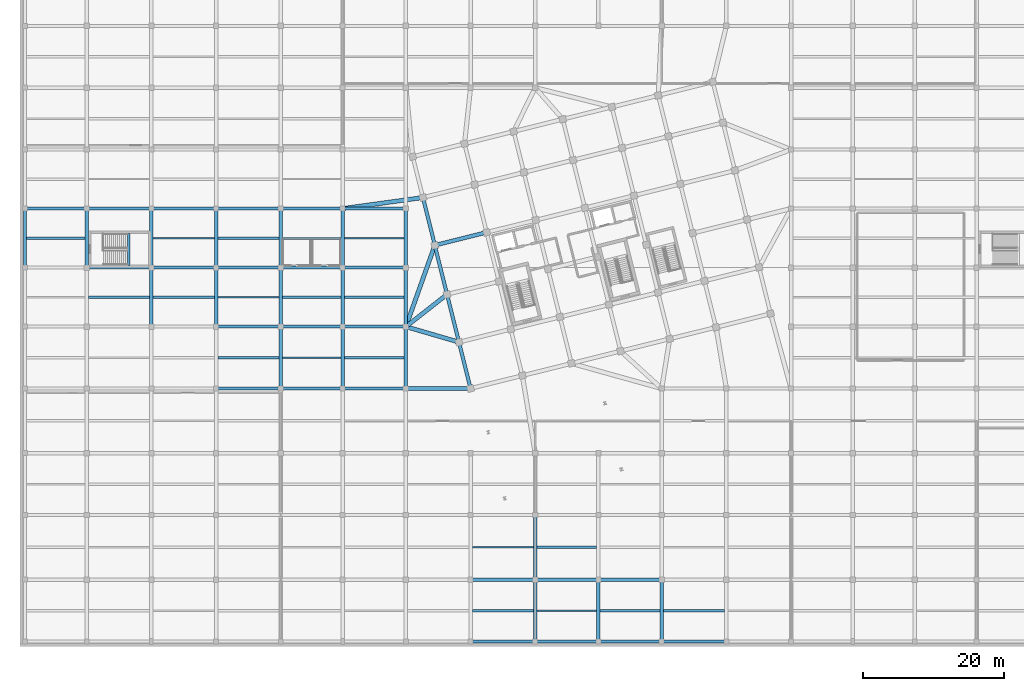
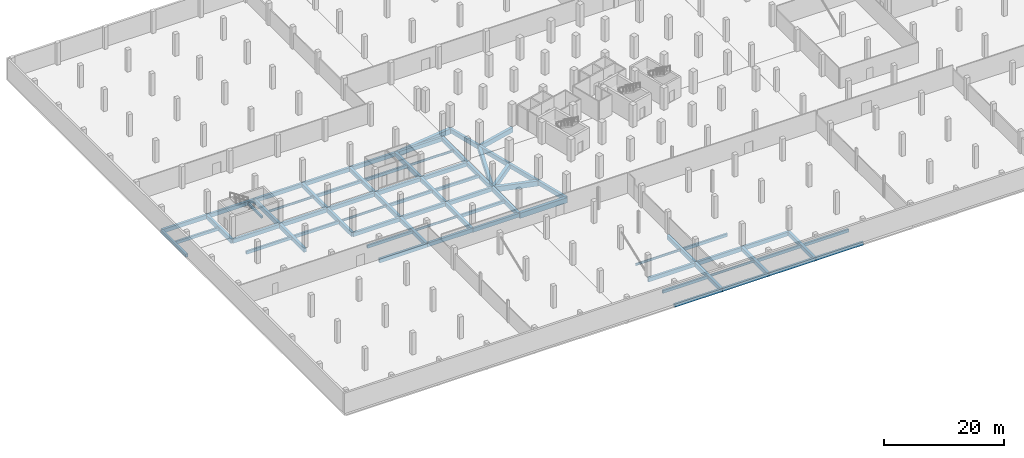
# One storey, part 9 of 31: 73 beams.
"""IFC4 building model written with IfcOpenShell, lengths in metres."""

from ifc_helpers import new_model, si_unit, direction, frame, origin, origin_2d, place, context, subcontext, project, spatial, rectangle, i_section, extrude, material, material_profile, profile_set, type_object, element, save


model = new_model("IFC4")

# Units and contexts
model_context = context("Model", 3, precision=1e-05, world=origin(), true_north=direction((0.0, 1.0)))
body_context = subcontext(model_context, "Body", "Model", "MODEL_VIEW")
ifc_project = project(units=[si_unit("LENGTHUNIT", "METRE"), si_unit("AREAUNIT", "SQUARE_METRE"), si_unit("VOLUMEUNIT", "CUBIC_METRE"), si_unit("PLANEANGLEUNIT", "RADIAN"), si_unit("MASSUNIT", "GRAM", prefix="KILO")], contexts=[model_context])

# Site, building, storey
site_placement = place(None, origin())
site = spatial("IfcSite", under=ifc_project, at=site_placement, CompositionType="ELEMENT")
building_placement = place(site_placement, origin())
building = spatial("IfcBuilding", under=site, at=building_placement, Name="Meriwether Solvik Hall", CompositionType="ELEMENT")
storey_placement = place(building_placement, frame((0.0, 0.0, -4.5)))
storey = spatial("IfcBuildingStorey", under=building, at=storey_placement, Name="B01", CompositionType="ELEMENT", Elevation=-4.5)

# Beams
ifc_material_1 = material(Name="Concrete C40/50", Category="concrete")
ifc_material_profile_1 = material_profile(ifc_material_1, rectangle(XDim=0.35009765625, YDim=0.419921875, at=origin_2d()), Name="RCB-350X420")
ifc_profile_set_1 = profile_set([ifc_material_profile_1], Name="Concrete C40/50")
beam_type_1 = type_object("IfcBeamType", Name="BM-LND-RC-350X420", PredefinedType="BEAM", material=ifc_profile_set_1)
beam_1_placement = place(storey_placement, frame((19.949951171875, 58.72998046875, 1.840087890625), z_axis=(0.0, 1.0, 0.0), x_axis=(-1.0, 0.0, 0.0)))
element("IfcBeam", 1, at=beam_1_placement, inside=storey, type_object=beam_type_1, Name="Stair ST-04 Half-Landing Header Beam (B01)", PredefinedType="BEAM", context=body_context, shape_type="SweptSolid", body=[
    extrude(rectangle(XDim=0.35009765625, YDim=0.419921875, at=origin_2d()), origin(), (0.0, 0.0, 1.0), 4.5400390625),
])
ifc_material_2 = material(Name="Concrete C40/50", Category="concrete")
ifc_material_profile_2 = material_profile(ifc_material_2, rectangle(XDim=0.35009765625, YDim=0.60009765625, at=origin_2d()), Name="RCB-350X600")
ifc_profile_set_2 = profile_set([ifc_material_profile_2], Name="Concrete C40/50")
beam_type_2 = type_object("IfcBeamType", Name="BM-RC-350X600", PredefinedType="JOIST", material=ifc_profile_set_2)
beam_2_placement = place(storey_placement, frame((5.39501953125, 62.60009765625, -0.6298828125), z_axis=(1.0, 0.0, 0.0), x_axis=(0.0, 1.0, 0.0)))
element("IfcBeam", 2, at=beam_2_placement, inside=storey, type_object=beam_type_2, Name="Secondary Floor Joist 1/G (B01)", PredefinedType="JOIST", context=body_context, shape_type="SweptSolid", body=[
    extrude(rectangle(XDim=0.35009765625, YDim=0.60009765625, at=origin_2d()), origin(), (0.0, 0.0, 1.0), 8.35986328125),
])
for number, where, z_axis, x_axis, name in (
    (3, (14.2451171875, 54.199951171875, -0.6298828125), (1.0, 0.0, 0.0), (0.0, 1.0, 0.0), "Secondary Floor Joist 2/F (B01)"),
    (4, (23.445068359375, 54.199951171875, -0.6298828125), (1.0, 0.0, 0.0), (0.0, 1.0, 0.0), "Secondary Floor Joist 3/F (B01)"),
    (5, (32.64501953125, 45.60009765625, -0.6298828125), (1.0, 0.0, 0.0), (0.0, 1.0, 0.0), "Secondary Floor Joist 4/E (B01)"),
    (6, (32.64501953125, 62.60009765625, -0.6298828125), (1.0, 0.0, 0.0), (0.0, 1.0, 0.0), "Secondary Floor Joist 4/G (B01)"),
):
    element("IfcBeam", number, at=place(storey_placement, frame(where, z_axis=z_axis, x_axis=x_axis)), inside=storey, type_object=beam_type_2, Name=name, PredefinedType="JOIST", context=body_context, shape_type="SweptSolid", body=[
        extrude(rectangle(XDim=0.35009765625, YDim=0.60009765625, at=origin_2d()), origin(), (0.0, 0.0, 1.0), 8.7099609375),
    ])
for number, where, z_axis, x_axis, name in (
    (7, (41.844970703125, 54.199951171875, -0.6298828125), (1.0, 0.0, 0.0), (0.0, 1.0, 0.0), "Secondary Floor Joist 5/F (B01)"),
    (8, (41.844970703125, 62.60009765625, -0.6298828125), (1.0, 0.0, 0.0), (0.0, 1.0, 0.0), "Secondary Floor Joist 5/G (B01)"),
):
    element("IfcBeam", number, at=place(storey_placement, frame(where, z_axis=z_axis, x_axis=x_axis)), inside=storey, type_object=beam_type_2, Name=name, PredefinedType="JOIST", context=body_context, shape_type="SweptSolid", body=[
        extrude(rectangle(XDim=0.35009765625, YDim=0.60009765625, at=origin_2d()), origin(), (0.0, 0.0, 1.0), 8.31005859375),
    ])
for number, where, z_axis, x_axis, name in (
    (9, (50.64501953125, 45.60009765625, -0.699951171875), (1.0, 0.0, 0.0), (0.0, 1.0, 0.0), "Secondary Floor Joist 6/E (B01)"),
    (10, (50.64501953125, 54.199951171875, -0.699951171875), (1.0, 0.0, 0.0), (0.0, 1.0, 0.0), "Secondary Floor Joist 6/F (B01)"),
):
    element("IfcBeam", number, at=place(storey_placement, frame(where, z_axis=z_axis, x_axis=x_axis)), inside=storey, type_object=beam_type_2, Name=name, PredefinedType="JOIST", context=body_context, shape_type="SweptSolid", body=[
        extrude(rectangle(XDim=0.35009765625, YDim=0.60009765625, at=origin_2d()), origin(), (0.0, 0.0, 1.0), 8.510009765625),
    ])
beam_3_placement = place(storey_placement, frame((68.844970703125, 9.60009765625, -0.699951171875), z_axis=(1.0, 0.0, 0.0), x_axis=(0.0, 1.0, 0.0)))
element("IfcBeam", 11, at=beam_3_placement, inside=storey, type_object=beam_type_2, Name="Secondary Floor Joist 8/A (B01)", PredefinedType="JOIST", context=body_context, shape_type="SweptSolid", body=[
    extrude(rectangle(XDim=0.35009765625, YDim=0.60009765625, at=origin_2d()), origin(), (0.0, 0.0, 1.0), 8.7099609375),
])
for number, where, z_axis, x_axis, name in (
    (12, (78.044921875, 18.60009765625, -0.699951171875), (1.0, 0.0, 0.0), (0.0, 1.0, 0.0), "Secondary Floor Joist 9/B (B01)"),
    (13, (87.044921875, 9.60009765625, -0.699951171875), (1.0, 0.0, 0.0), (0.0, 1.0, 0.0), "Secondary Floor Joist 10/A (B01)"),
):
    element("IfcBeam", number, at=place(storey_placement, frame(where, z_axis=z_axis, x_axis=x_axis)), inside=storey, type_object=beam_type_2, Name=name, PredefinedType="JOIST", context=body_context, shape_type="SweptSolid", body=[
        extrude(rectangle(XDim=0.35009765625, YDim=0.60009765625, at=origin_2d()), origin(), (0.0, 0.0, 1.0), 8.510009765625),
    ])
beam_4_placement = place(storey_placement, frame((96.044921875, 9.60009765625, -0.699951171875), z_axis=(1.0, 0.0, 0.0), x_axis=(0.0, 1.0, 0.0)))
element("IfcBeam", 14, at=beam_4_placement, inside=storey, type_object=beam_type_2, Name="Secondary Floor Joist 11/A (B01)", PredefinedType="JOIST", context=body_context, shape_type="SweptSolid", body=[
    extrude(rectangle(XDim=0.35009765625, YDim=0.60009765625, at=origin_2d()), origin(), (0.0, 0.0, 1.0), 8.7099609375),
])
ifc_material_3 = material(Name="Concrete C40/50", Category="concrete")
ifc_material_profile_3 = material_profile(ifc_material_3, rectangle(XDim=0.39990234375, YDim=0.64990234375, at=origin_2d()), Name="RCB-400X650")
ifc_profile_set_3 = profile_set([ifc_material_profile_3], Name="Concrete C40/50")
beam_type_3 = type_object("IfcBeamType", Name="BM-RC-400X650", PredefinedType="SPANDREL", material=ifc_profile_set_3)
beam_5_placement = place(storey_placement, frame((68.60009765625, 5.199951171875, -0.72509765625), z_axis=(1.0, 0.0, 0.0), x_axis=(0.0, 1.0, 0.0)))
element("IfcBeam", 15, at=beam_5_placement, inside=storey, type_object=beam_type_3, Name="Podium Girder A:8-9 (B01)", PredefinedType="SPANDREL", context=body_context, shape_type="SweptSolid", body=[
    extrude(rectangle(XDim=0.39990234375, YDim=0.64990234375, at=origin_2d()), origin(), (0.0, 0.0, 1.0), 9.199951171875),
])
for number, where, z_axis, x_axis, name in (
    (16, (77.800048828125, 5.199951171875, -0.72509765625), (1.0, 0.0, 0.0), (0.0, 1.0, 0.0), "Podium Girder A:9-10 (B01)"),
    (17, (86.800048828125, 5.199951171875, -0.72509765625), (1.0, 0.0, 0.0), (0.0, 1.0, 0.0), "Podium Girder A:10-11 (B01)"),
):
    element("IfcBeam", number, at=place(storey_placement, frame(where, z_axis=z_axis, x_axis=x_axis)), inside=storey, type_object=beam_type_3, Name=name, PredefinedType="SPANDREL", context=body_context, shape_type="SweptSolid", body=[
        extrude(rectangle(XDim=0.39990234375, YDim=0.64990234375, at=origin_2d()), origin(), (0.0, 0.0, 1.0), 9.0),
    ])
beam_6_placement = place(storey_placement, frame((95.800048828125, 5.199951171875, -0.72509765625), z_axis=(1.0, 0.0, 0.0), x_axis=(0.0, 1.0, 0.0)))
element("IfcBeam", 18, at=beam_6_placement, inside=storey, type_object=beam_type_3, Name="Podium Girder A:11-12 (B01)", PredefinedType="SPANDREL", context=body_context, shape_type="SweptSolid", body=[
    extrude(rectangle(XDim=0.39990234375, YDim=0.64990234375, at=origin_2d()), origin(), (0.0, 0.0, 1.0), 9.199951171875),
])
beam_7_placement = place(storey_placement, frame((5.199951171875, 58.39990234375, -0.655029296875), z_axis=(0.0, 1.0, 0.0), x_axis=(-1.0, 0.0, 0.0)))
element("IfcBeam", 19, at=beam_7_placement, inside=storey, type_object=beam_type_3, Name="Podium Girder 1:G-H (B01)", PredefinedType="SPANDREL", context=body_context, shape_type="SweptSolid", body=[
    extrude(rectangle(XDim=0.39990234375, YDim=0.64990234375, at=origin_2d()), origin(), (0.0, 0.0, 1.0), 8.400146484375),
])
ifc_material_4 = material(Name="Concrete C40/50", Category="concrete")
ifc_material_profile_4 = material_profile(ifc_material_4, rectangle(XDim=0.449951171875, YDim=0.800048828125, at=origin_2d()), Name="RCB-450X800")
ifc_profile_set_4 = profile_set([ifc_material_profile_4], Name="Concrete C40/50")
beam_type_4 = type_object("IfcBeamType", Name="BM-RC-450X800", PredefinedType="BEAM", material=ifc_profile_set_4)
beam_8_placement = place(storey_placement, frame((68.60009765625, 14.0, -0.800048828125), z_axis=(1.0, 0.0, 0.0), x_axis=(0.0, 1.0, 0.0)))
element("IfcBeam", 20, at=beam_8_placement, inside=storey, type_object=beam_type_4, Name="Podium Girder B:8-9 (B01)", PredefinedType="BEAM", context=body_context, shape_type="SweptSolid", body=[
    extrude(rectangle(XDim=0.449951171875, YDim=0.800048828125, at=origin_2d()), origin(), (0.0, 0.0, 1.0), 9.199951171875),
])
for number, where, z_axis, x_axis, name in (
    (21, (77.800048828125, 14.0, -0.800048828125), (1.0, 0.0, 0.0), (0.0, 1.0, 0.0), "Podium Girder B:9-10 (B01)"),
    (22, (86.800048828125, 14.0, -0.800048828125), (1.0, 0.0, 0.0), (0.0, 1.0, 0.0), "Podium Girder B:10-11 (B01)"),
):
    element("IfcBeam", number, at=place(storey_placement, frame(where, z_axis=z_axis, x_axis=x_axis)), inside=storey, type_object=beam_type_4, Name=name, PredefinedType="BEAM", context=body_context, shape_type="SweptSolid", body=[
        extrude(rectangle(XDim=0.449951171875, YDim=0.800048828125, at=origin_2d()), origin(), (0.0, 0.0, 1.0), 9.0),
    ])
beam_9_placement = place(storey_placement, frame((32.39990234375, 41.199951171875, -0.72998046875), z_axis=(1.0, 0.0, 0.0), x_axis=(0.0, 1.0, 0.0)))
element("IfcBeam", 23, at=beam_9_placement, inside=storey, type_object=beam_type_4, Name="Podium Girder E:4-5 (B01)", PredefinedType="BEAM", context=body_context, shape_type="SweptSolid", body=[
    extrude(rectangle(XDim=0.449951171875, YDim=0.800048828125, at=origin_2d()), origin(), (0.0, 0.0, 1.0), 9.2001953125),
])
beam_10_placement = place(storey_placement, frame((41.60009765625, 41.199951171875, -0.72998046875), z_axis=(1.0, 0.0, 0.0), x_axis=(0.0, 1.0, 0.0)))
element("IfcBeam", 24, at=beam_10_placement, inside=storey, type_object=beam_type_4, Name="Podium Girder E:5-6 (B01)", PredefinedType="BEAM", context=body_context, shape_type="SweptSolid", body=[
    extrude(rectangle(XDim=0.449951171875, YDim=0.800048828125, at=origin_2d()), origin(), (0.0, 0.0, 1.0), 8.7998046875),
])
beam_11_placement = place(storey_placement, frame((50.39990234375, 41.199951171875, -0.800048828125), z_axis=(1.0, 0.0, 0.0), x_axis=(0.0, 1.0, 0.0)))
element("IfcBeam", 25, at=beam_11_placement, inside=storey, type_object=beam_type_4, Name="Podium Girder E:6-7 (B01)", PredefinedType="BEAM", context=body_context, shape_type="SweptSolid", body=[
    extrude(rectangle(XDim=0.449951171875, YDim=0.800048828125, at=origin_2d()), origin(), (0.0, 0.0, 1.0), 9.0),
])
beam_12_placement = place(storey_placement, frame((32.39990234375, 50.0, -0.72998046875), z_axis=(1.0, 0.0, 0.0), x_axis=(0.0, 1.0, 0.0)))
element("IfcBeam", 26, at=beam_12_placement, inside=storey, type_object=beam_type_4, Name="Podium Girder F:4-5 (B01)", PredefinedType="BEAM", context=body_context, shape_type="SweptSolid", body=[
    extrude(rectangle(XDim=0.449951171875, YDim=0.800048828125, at=origin_2d()), origin(), (0.0, 0.0, 1.0), 9.2001953125),
])
beam_13_placement = place(storey_placement, frame((41.60009765625, 50.0, -0.72998046875), z_axis=(1.0, 0.0, 0.0), x_axis=(0.0, 1.0, 0.0)))
element("IfcBeam", 27, at=beam_13_placement, inside=storey, type_object=beam_type_4, Name="Podium Girder F:5-6 (B01)", PredefinedType="BEAM", context=body_context, shape_type="SweptSolid", body=[
    extrude(rectangle(XDim=0.449951171875, YDim=0.800048828125, at=origin_2d()), origin(), (0.0, 0.0, 1.0), 8.7998046875),
])
beam_14_placement = place(storey_placement, frame((50.39990234375, 50.0, -0.800048828125), z_axis=(1.0, 0.0, 0.0), x_axis=(0.0, 1.0, 0.0)))
element("IfcBeam", 28, at=beam_14_placement, inside=storey, type_object=beam_type_4, Name="Podium Girder F:6-7 (B01)", PredefinedType="BEAM", context=body_context, shape_type="SweptSolid", body=[
    extrude(rectangle(XDim=0.449951171875, YDim=0.800048828125, at=origin_2d()), origin(), (0.0, 0.0, 1.0), 9.0),
])
for number, where, z_axis, x_axis, name in (
    (29, (14.0, 58.39990234375, -0.72998046875), (1.0, 0.0, 0.0), (0.0, 1.0, 0.0), "Podium Girder G:2-3 (B01)"),
    (30, (23.199951171875, 58.39990234375, -0.72998046875), (1.0, 0.0, 0.0), (0.0, 1.0, 0.0), "Podium Girder G:3-4 (B01)"),
):
    element("IfcBeam", number, at=place(storey_placement, frame(where, z_axis=z_axis, x_axis=x_axis)), inside=storey, type_object=beam_type_4, Name=name, PredefinedType="BEAM", context=body_context, shape_type="SweptSolid", body=[
        extrude(rectangle(XDim=0.449951171875, YDim=0.800048828125, at=origin_2d()), origin(), (0.0, 0.0, 1.0), 9.199951171875),
    ])
beam_15_placement = place(storey_placement, frame((32.39990234375, 58.39990234375, -0.72998046875), z_axis=(1.0, 0.0, 0.0), x_axis=(0.0, 1.0, 0.0)))
element("IfcBeam", 31, at=beam_15_placement, inside=storey, type_object=beam_type_4, Name="Podium Girder G:4-5 (B01)", PredefinedType="BEAM", context=body_context, shape_type="SweptSolid", body=[
    extrude(rectangle(XDim=0.449951171875, YDim=0.800048828125, at=origin_2d()), origin(), (0.0, 0.0, 1.0), 9.2001953125),
])
beam_16_placement = place(storey_placement, frame((41.60009765625, 58.39990234375, -0.72998046875), z_axis=(1.0, 0.0, 0.0), x_axis=(0.0, 1.0, 0.0)))
element("IfcBeam", 32, at=beam_16_placement, inside=storey, type_object=beam_type_4, Name="Podium Girder G:5-6 (B01)", PredefinedType="BEAM", context=body_context, shape_type="SweptSolid", body=[
    extrude(rectangle(XDim=0.449951171875, YDim=0.800048828125, at=origin_2d()), origin(), (0.0, 0.0, 1.0), 8.7998046875),
])
beam_17_placement = place(storey_placement, frame((50.39990234375, 58.39990234375, -0.800048828125), z_axis=(1.0, 0.0, 0.0), x_axis=(0.0, 1.0, 0.0)))
element("IfcBeam", 33, at=beam_17_placement, inside=storey, type_object=beam_type_4, Name="Podium Girder G:6-7 (B01)", PredefinedType="BEAM", context=body_context, shape_type="SweptSolid", body=[
    extrude(rectangle(XDim=0.449951171875, YDim=0.800048828125, at=origin_2d()), origin(), (0.0, 0.0, 1.0), 9.0),
])
beam_18_placement = place(storey_placement, frame((5.199951171875, 66.800048828125, -0.72998046875), z_axis=(1.0, 0.0, 0.0), x_axis=(0.0, 1.0, 0.0)))
element("IfcBeam", 34, at=beam_18_placement, inside=storey, type_object=beam_type_4, Name="Podium Girder H:1-2 (B01)", PredefinedType="BEAM", context=body_context, shape_type="SweptSolid", body=[
    extrude(rectangle(XDim=0.449951171875, YDim=0.800048828125, at=origin_2d()), origin(), (0.0, 0.0, 1.0), 8.800048828125),
])
for number, where, z_axis, x_axis, name in (
    (35, (14.0, 66.800048828125, -0.72998046875), (1.0, 0.0, 0.0), (0.0, 1.0, 0.0), "Podium Girder H:2-3 (B01)"),
    (36, (23.199951171875, 66.800048828125, -0.72998046875), (1.0, 0.0, 0.0), (0.0, 1.0, 0.0), "Podium Girder H:3-4 (B01)"),
):
    element("IfcBeam", number, at=place(storey_placement, frame(where, z_axis=z_axis, x_axis=x_axis)), inside=storey, type_object=beam_type_4, Name=name, PredefinedType="BEAM", context=body_context, shape_type="SweptSolid", body=[
        extrude(rectangle(XDim=0.449951171875, YDim=0.800048828125, at=origin_2d()), origin(), (0.0, 0.0, 1.0), 9.199951171875),
    ])
beam_19_placement = place(storey_placement, frame((32.39990234375, 66.800048828125, -0.72998046875), z_axis=(1.0, 0.0, 0.0), x_axis=(0.0, 1.0, 0.0)))
element("IfcBeam", 37, at=beam_19_placement, inside=storey, type_object=beam_type_4, Name="Podium Girder H:4-5 (B01)", PredefinedType="BEAM", context=body_context, shape_type="SweptSolid", body=[
    extrude(rectangle(XDim=0.449951171875, YDim=0.800048828125, at=origin_2d()), origin(), (0.0, 0.0, 1.0), 9.2001953125),
])
beam_20_placement = place(storey_placement, frame((41.60009765625, 66.800048828125, -0.72998046875), z_axis=(1.0, 0.0, 0.0), x_axis=(0.0, 1.0, 0.0)))
element("IfcBeam", 38, at=beam_20_placement, inside=storey, type_object=beam_type_4, Name="Podium Girder H:5-6 (B01)", PredefinedType="BEAM", context=body_context, shape_type="SweptSolid", body=[
    extrude(rectangle(XDim=0.449951171875, YDim=0.800048828125, at=origin_2d()), origin(), (0.0, 0.0, 1.0), 8.7998046875),
])
beam_21_placement = place(storey_placement, frame((50.39990234375, 66.800048828125, -0.800048828125), z_axis=(1.0, 0.0, 0.0), x_axis=(0.0, 1.0, 0.0)))
element("IfcBeam", 39, at=beam_21_placement, inside=storey, type_object=beam_type_4, Name="Podium Girder H:6-7 (B01)", PredefinedType="BEAM", context=body_context, shape_type="SweptSolid", body=[
    extrude(rectangle(XDim=0.449951171875, YDim=0.800048828125, at=origin_2d()), origin(), (0.0, 0.0, 1.0), 9.0),
])
ifc_material_5 = material(Name="Concrete C40/50", Category="concrete")
ifc_material_profile_5 = material_profile(ifc_material_5, rectangle(XDim=0.5, YDim=0.85009765625, at=origin_2d()), Name="RCB-500X850")
ifc_profile_set_5 = profile_set([ifc_material_profile_5], Name="Concrete C40/50")
beam_type_5 = type_object("IfcBeamType", Name="BM-RC-500X850", PredefinedType="BEAM", material=ifc_profile_set_5)
beam_22_placement = place(storey_placement, frame((14.0, 58.39990234375, -0.7548828125), z_axis=(0.0, 1.0, 0.0), x_axis=(-1.0, 0.0, 0.0)))
element("IfcBeam", 40, at=beam_22_placement, inside=storey, type_object=beam_type_5, Name="Podium Girder 2:G-H (B01)", PredefinedType="BEAM", context=body_context, shape_type="SweptSolid", body=[
    extrude(rectangle(XDim=0.5, YDim=0.85009765625, at=origin_2d()), origin(), (0.0, 0.0, 1.0), 8.400146484375),
])
beam_23_placement = place(storey_placement, frame((23.199951171875, 50.0, -0.7548828125), z_axis=(0.0, 1.0, 0.0), x_axis=(-1.0, 0.0, 0.0)))
element("IfcBeam", 41, at=beam_23_placement, inside=storey, type_object=beam_type_5, Name="Podium Girder 3:F-G (B01)", PredefinedType="BEAM", context=body_context, shape_type="SweptSolid", body=[
    extrude(rectangle(XDim=0.5, YDim=0.85009765625, at=origin_2d()), origin(), (0.0, 0.0, 1.0), 8.39990234375),
])
beam_24_placement = place(storey_placement, frame((23.199951171875, 58.39990234375, -0.7548828125), z_axis=(0.0, 1.0, 0.0), x_axis=(-1.0, 0.0, 0.0)))
element("IfcBeam", 42, at=beam_24_placement, inside=storey, type_object=beam_type_5, Name="Podium Girder 3:G-H (B01)", PredefinedType="BEAM", context=body_context, shape_type="SweptSolid", body=[
    extrude(rectangle(XDim=0.5, YDim=0.85009765625, at=origin_2d()), origin(), (0.0, 0.0, 1.0), 8.400146484375),
])
beam_25_placement = place(storey_placement, frame((32.39990234375, 50.0, -0.7548828125), z_axis=(0.0, 1.0, 0.0), x_axis=(-1.0, 0.0, 0.0)))
element("IfcBeam", 43, at=beam_25_placement, inside=storey, type_object=beam_type_5, Name="Podium Girder 4:F-G (B01)", PredefinedType="BEAM", context=body_context, shape_type="SweptSolid", body=[
    extrude(rectangle(XDim=0.5, YDim=0.85009765625, at=origin_2d()), origin(), (0.0, 0.0, 1.0), 8.39990234375),
])
beam_26_placement = place(storey_placement, frame((32.39990234375, 58.39990234375, -0.7548828125), z_axis=(0.0, 1.0, 0.0), x_axis=(-1.0, 0.0, 0.0)))
element("IfcBeam", 44, at=beam_26_placement, inside=storey, type_object=beam_type_5, Name="Podium Girder 4:G-H (B01)", PredefinedType="BEAM", context=body_context, shape_type="SweptSolid", body=[
    extrude(rectangle(XDim=0.5, YDim=0.85009765625, at=origin_2d()), origin(), (0.0, 0.0, 1.0), 8.400146484375),
])
beam_27_placement = place(storey_placement, frame((41.60009765625, 41.199951171875, -0.7548828125), z_axis=(0.0, 1.0, 0.0), x_axis=(-1.0, 0.0, 0.0)))
element("IfcBeam", 45, at=beam_27_placement, inside=storey, type_object=beam_type_5, Name="Podium Girder 5:E-F (B01)", PredefinedType="BEAM", context=body_context, shape_type="SweptSolid", body=[
    extrude(rectangle(XDim=0.5, YDim=0.85009765625, at=origin_2d()), origin(), (0.0, 0.0, 1.0), 8.800048828125),
])
beam_28_placement = place(storey_placement, frame((41.60009765625, 50.0, -0.7548828125), z_axis=(0.0, 1.0, 0.0), x_axis=(-1.0, 0.0, 0.0)))
element("IfcBeam", 46, at=beam_28_placement, inside=storey, type_object=beam_type_5, Name="Podium Girder 5:F-G (B01)", PredefinedType="BEAM", context=body_context, shape_type="SweptSolid", body=[
    extrude(rectangle(XDim=0.5, YDim=0.85009765625, at=origin_2d()), origin(), (0.0, 0.0, 1.0), 8.39990234375),
])
beam_29_placement = place(storey_placement, frame((41.60009765625, 58.39990234375, -0.7548828125), z_axis=(0.0, 1.0, 0.0), x_axis=(-1.0, 0.0, 0.0)))
element("IfcBeam", 47, at=beam_29_placement, inside=storey, type_object=beam_type_5, Name="Podium Girder 5:G-H (B01)", PredefinedType="BEAM", context=body_context, shape_type="SweptSolid", body=[
    extrude(rectangle(XDim=0.5, YDim=0.85009765625, at=origin_2d()), origin(), (0.0, 0.0, 1.0), 8.400146484375),
])
beam_30_placement = place(storey_placement, frame((50.39990234375, 41.199951171875, -0.7548828125), z_axis=(0.0, 1.0, 0.0), x_axis=(-1.0, 0.0, 0.0)))
element("IfcBeam", 48, at=beam_30_placement, inside=storey, type_object=beam_type_5, Name="Podium Girder 6:E-F (B01)", PredefinedType="BEAM", context=body_context, shape_type="SweptSolid", body=[
    extrude(rectangle(XDim=0.5, YDim=0.85009765625, at=origin_2d()), origin(), (0.0, 0.0, 1.0), 8.800048828125),
])
beam_31_placement = place(storey_placement, frame((50.39990234375, 50.0, -0.7548828125), z_axis=(0.0, 1.0, 0.0), x_axis=(-1.0, 0.0, 0.0)))
element("IfcBeam", 49, at=beam_31_placement, inside=storey, type_object=beam_type_5, Name="Podium Girder 6:F-G (B01)", PredefinedType="BEAM", context=body_context, shape_type="SweptSolid", body=[
    extrude(rectangle(XDim=0.5, YDim=0.85009765625, at=origin_2d()), origin(), (0.0, 0.0, 1.0), 8.39990234375),
])
beam_32_placement = place(storey_placement, frame((50.39990234375, 58.39990234375, -0.7548828125), z_axis=(0.0, 1.0, 0.0), x_axis=(-1.0, 0.0, 0.0)))
element("IfcBeam", 50, at=beam_32_placement, inside=storey, type_object=beam_type_5, Name="Podium Girder 6:G-H (B01)", PredefinedType="BEAM", context=body_context, shape_type="SweptSolid", body=[
    extrude(rectangle(XDim=0.5, YDim=0.85009765625, at=origin_2d()), origin(), (0.0, 0.0, 1.0), 8.400146484375),
])
beam_33_placement = place(storey_placement, frame((59.39990234375, 41.199951171875, -0.824951171875), z_axis=(0.0, 1.0, 0.0), x_axis=(-1.0, 0.0, 0.0)))
element("IfcBeam", 51, at=beam_33_placement, inside=storey, type_object=beam_type_5, Name="Podium Girder 7:E-F (B01)", PredefinedType="BEAM", context=body_context, shape_type="SweptSolid", body=[
    extrude(rectangle(XDim=0.5, YDim=0.85009765625, at=origin_2d()), origin(), (0.0, 0.0, 1.0), 8.800048828125),
])
beam_34_placement = place(storey_placement, frame((59.39990234375, 50.0, -0.824951171875), z_axis=(0.0, 1.0, 0.0), x_axis=(-1.0, 0.0, 0.0)))
element("IfcBeam", 52, at=beam_34_placement, inside=storey, type_object=beam_type_5, Name="Podium Girder 7:F-G (B01)", PredefinedType="BEAM", context=body_context, shape_type="SweptSolid", body=[
    extrude(rectangle(XDim=0.5, YDim=0.85009765625, at=origin_2d()), origin(), (0.0, 0.0, 1.0), 8.39990234375),
])
beam_35_placement = place(storey_placement, frame((59.39990234375, 58.39990234375, -0.824951171875), z_axis=(0.0, 1.0, 0.0), x_axis=(-1.0, 0.0, 0.0)))
element("IfcBeam", 53, at=beam_35_placement, inside=storey, type_object=beam_type_5, Name="Podium Girder 7:G-H (B01)", PredefinedType="BEAM", context=body_context, shape_type="SweptSolid", body=[
    extrude(rectangle(XDim=0.5, YDim=0.85009765625, at=origin_2d()), origin(), (0.0, 0.0, 1.0), 8.400146484375),
])
beam_36_placement = place(storey_placement, frame((77.800048828125, 5.199951171875, -0.824951171875), z_axis=(0.0, 1.0, 0.0), x_axis=(-1.0, 0.0, 0.0)))
element("IfcBeam", 54, at=beam_36_placement, inside=storey, type_object=beam_type_5, Name="Podium Girder 9:A-B (B01)", PredefinedType="BEAM", context=body_context, shape_type="SweptSolid", body=[
    extrude(rectangle(XDim=0.5, YDim=0.85009765625, at=origin_2d()), origin(), (0.0, 0.0, 1.0), 8.800048828125),
])
beam_37_placement = place(storey_placement, frame((77.800048828125, 14.0, -0.824951171875), z_axis=(0.0, 1.0, 0.0), x_axis=(-1.0, 0.0, 0.0)))
element("IfcBeam", 55, at=beam_37_placement, inside=storey, type_object=beam_type_5, Name="Podium Girder 9:B-C (B01)", PredefinedType="BEAM", context=body_context, shape_type="SweptSolid", body=[
    extrude(rectangle(XDim=0.5, YDim=0.85009765625, at=origin_2d()), origin(), (0.0, 0.0, 1.0), 9.199951171875),
])
for number, where, z_axis, x_axis, name in (
    (56, (86.800048828125, 5.199951171875, -0.824951171875), (0.0, 1.0, 0.0), (-1.0, 0.0, 0.0), "Podium Girder 10:A-B (B01)"),
    (57, (95.800048828125, 5.199951171875, -0.824951171875), (0.0, 1.0, 0.0), (-1.0, 0.0, 0.0), "Podium Girder 11:A-B (B01)"),
):
    element("IfcBeam", number, at=place(storey_placement, frame(where, z_axis=z_axis, x_axis=x_axis)), inside=storey, type_object=beam_type_5, Name=name, PredefinedType="BEAM", context=body_context, shape_type="SweptSolid", body=[
        extrude(rectangle(XDim=0.5, YDim=0.85009765625, at=origin_2d()), origin(), (0.0, 0.0, 1.0), 8.800048828125),
    ])
beam_38_placement = place(storey_placement, frame((68.60009765625, 41.199951171875, -0.824951171875), z_axis=(-0.241944251278, 0.970290152106, 0.0), x_axis=(-0.970290152106, -0.241944251278, 0.0)))
element("IfcBeam", 58, at=beam_38_placement, inside=storey, type_object=beam_type_5, Name="Tower Girder T1:TA-TB (B01)", PredefinedType="BEAM", context=body_context, shape_type="SweptSolid", body=[
    extrude(rectangle(XDim=0.5, YDim=0.85009765625, at=origin_2d()), origin(), (0.0, 0.0, 1.0), 6.80029296875),
])
beam_39_placement = place(storey_placement, frame((66.954833984375, 47.798095703125, -0.824951171875), z_axis=(-0.241911879182, 0.970298223594, 0.0), x_axis=(-0.970298223594, -0.241911879182, 0.0)))
element("IfcBeam", 59, at=beam_39_placement, inside=storey, type_object=beam_type_5, Name="Tower Girder T1:TB-TC (B01)", PredefinedType="BEAM", context=body_context, shape_type="SweptSolid", body=[
    extrude(rectangle(XDim=0.5, YDim=0.85009765625, at=origin_2d()), origin(), (0.0, 0.0, 1.0), 7.0),
])
beam_40_placement = place(storey_placement, frame((65.261474609375, 54.590087890625, -0.824951171875), z_axis=(-0.241937193493, 0.970291911955, 0.0), x_axis=(-0.970291911955, -0.241937193493, 0.0)))
element("IfcBeam", 60, at=beam_40_placement, inside=storey, type_object=beam_type_5, Name="Tower Girder T1:TC-TD (B01)", PredefinedType="BEAM", context=body_context, shape_type="SweptSolid", body=[
    extrude(rectangle(XDim=0.5, YDim=0.85009765625, at=origin_2d()), origin(), (0.0, 0.0, 1.0), 7.199951171875),
])
beam_41_placement = place(storey_placement, frame((63.51953125, 61.576171875, -0.824951171875), z_axis=(-0.241911879182, 0.970298223594, 0.0), x_axis=(-0.970298223594, -0.241911879182, 0.0)))
element("IfcBeam", 61, at=beam_41_placement, inside=storey, type_object=beam_type_5, Name="Tower Girder T1:TD-TE (B01)", PredefinedType="BEAM", context=body_context, shape_type="SweptSolid", body=[
    extrude(rectangle(XDim=0.5, YDim=0.85009765625, at=origin_2d()), origin(), (0.0, 0.0, 1.0), 7.0),
])
ifc_material_6 = material(Name="Concrete C40/50", Category="concrete")
ifc_material_profile_6 = material_profile(ifc_material_6, rectangle(XDim=0.550048828125, YDim=0.949951171875, at=origin_2d()), Name="RCB-550X950")
ifc_profile_set_6 = profile_set([ifc_material_profile_6], Name="Concrete C40/50")
beam_type_6 = type_object("IfcBeamType", Name="BM-RC-550X950", PredefinedType="BEAM", material=ifc_profile_set_6)
beam_42_placement = place(storey_placement, frame((63.51953125, 61.576171875, -0.875), z_axis=(0.970295366785, 0.241923337436, 0.0), x_axis=(-0.241923337436, 0.970295366785, 0.0)))
element("IfcBeam", 62, at=beam_42_placement, inside=storey, type_object=beam_type_6, Name="Tower Girder TD:T1-T2 (B01)", PredefinedType="BEAM", context=body_context, shape_type="SweptSolid", body=[
    extrude(rectangle(XDim=0.550048828125, YDim=0.949951171875, at=origin_2d()), origin(), (0.0, 0.0, 1.0), 7.60009765625),
])
ifc_material_7 = material(Name="Concrete C40/50", Category="concrete")
ifc_material_profile_7 = material_profile(ifc_material_7, rectangle(XDim=0.60009765625, YDim=1.050048828125, at=origin_2d()), Name="RCB-600X1050")
ifc_profile_set_7 = profile_set([ifc_material_profile_7], Name="Concrete C40/50")
beam_type_7 = type_object("IfcBeamType", Name="BM-RC-600X1050", PredefinedType="BEAM", material=ifc_profile_set_7)
beam_43_placement = place(storey_placement, frame((68.60009765625, 41.199951171875, -0.925048828125), z_axis=(-1.0, 0.0, 0.0), x_axis=(0.0, -1.0, 0.0)))
element("IfcBeam", 63, at=beam_43_placement, inside=storey, type_object=beam_type_7, Name="Diaphragm Collector Girder T1/TA-7/E (B01)", PredefinedType="BEAM", context=body_context, shape_type="SweptSolid", body=[
    extrude(rectangle(XDim=0.60009765625, YDim=1.050048828125, at=origin_2d()), origin(), (0.0, 0.0, 1.0), 9.2001953125),
])
beam_44_placement = place(storey_placement, frame((66.954833984375, 47.798095703125, -0.925048828125), z_axis=(-0.960055229861, 0.279810570952, 0.0), x_axis=(-0.279810570952, -0.960055229861, 0.0)))
element("IfcBeam", 64, at=beam_44_placement, inside=storey, type_object=beam_type_7, Name="Diaphragm Collector Girder T1/TB-7/F (B01)", PredefinedType="BEAM", context=body_context, shape_type="SweptSolid", body=[
    extrude(rectangle(XDim=0.60009765625, YDim=1.050048828125, at=origin_2d()), origin(), (0.0, 0.0, 1.0), 7.869384765625),
])
beam_45_placement = place(storey_placement, frame((65.261474609375, 54.590087890625, -0.925048828125), z_axis=(-0.787324356442, -0.616539015597, 0.0), x_axis=(0.616539015597, -0.787324356442, 0.0)))
element("IfcBeam", 65, at=beam_45_placement, inside=storey, type_object=beam_type_7, Name="Diaphragm Collector Girder T1/TC-7/F (B01)", PredefinedType="BEAM", context=body_context, shape_type="SweptSolid", body=[
    extrude(rectangle(XDim=0.60009765625, YDim=1.050048828125, at=origin_2d()), origin(), (0.0, 0.0, 1.0), 7.44482421875),
])
beam_46_placement = place(storey_placement, frame((63.51953125, 61.576171875, -0.925048828125), z_axis=(-0.335273852022, -0.942120716337, 0.0), x_axis=(0.942120716337, -0.335273852022, 0.0)))
element("IfcBeam", 66, at=beam_46_placement, inside=storey, type_object=beam_type_7, Name="Diaphragm Collector Girder T1/TD-7/F (B01)", PredefinedType="BEAM", context=body_context, shape_type="SweptSolid", body=[
    extrude(rectangle(XDim=0.60009765625, YDim=1.050048828125, at=origin_2d()), origin(), (0.0, 0.0, 1.0), 12.287353515625),
])
beam_47_placement = place(storey_placement, frame((61.826171875, 68.3681640625, -0.925048828125), z_axis=(-0.990713872019, -0.135963317806, 0.0), x_axis=(0.135963317806, -0.990713872019, 0.0)))
element("IfcBeam", 67, at=beam_47_placement, inside=storey, type_object=beam_type_7, Name="Diaphragm Collector Girder T1/TE-6/H (B01)", PredefinedType="BEAM", context=body_context, shape_type="SweptSolid", body=[
    extrude(rectangle(XDim=0.60009765625, YDim=1.050048828125, at=origin_2d()), origin(), (0.0, 0.0, 1.0), 11.533447265625),
])
ifc_material_8 = material(Name="Steel A992 Grade 50", Category="steel")
ifc_material_profile_8 = material_profile(ifc_material_8, i_section(OverallWidth=0.19091796875, OverallDepth=0.45703125, WebThickness=0.009033203125, FlangeThickness=0.014404296875, at=origin_2d()), Name="W18X50")
ifc_profile_set_8 = profile_set([ifc_material_profile_8], Name="Steel A992 Grade 50")
beam_type_8 = type_object("IfcBeamType", Name="BM-STL-W18X50", PredefinedType="JOIST", material=ifc_profile_set_8)
for number, where, z_axis, x_axis, name in (
    (68, (23.445068359375, 62.60009765625, -0.55859375), (1.0, 0.0, 0.0), (0.0, 1.0, 0.0), "Secondary Floor Joist 3/G (B01)"),
    (69, (32.64501953125, 54.199951171875, -0.55859375), (1.0, 0.0, 0.0), (0.0, 1.0, 0.0), "Secondary Floor Joist 4/F (B01)"),
):
    element("IfcBeam", number, at=place(storey_placement, frame(where, z_axis=z_axis, x_axis=x_axis)), inside=storey, type_object=beam_type_8, Name=name, PredefinedType="JOIST", context=body_context, shape_type="SweptSolid", body=[
        extrude(i_section(OverallWidth=0.19091796875, OverallDepth=0.45703125, WebThickness=0.009033203125, FlangeThickness=0.014404296875, at=origin_2d()), origin(), (0.0, 0.0, 1.0), 8.7099609375),
    ])
beam_48_placement = place(storey_placement, frame((41.844970703125, 45.60009765625, -0.55859375), z_axis=(1.0, 0.0, 0.0), x_axis=(0.0, 1.0, 0.0)))
element("IfcBeam", 70, at=beam_48_placement, inside=storey, type_object=beam_type_8, Name="Secondary Floor Joist 5/E (B01)", PredefinedType="JOIST", context=body_context, shape_type="SweptSolid", body=[
    extrude(i_section(OverallWidth=0.19091796875, OverallDepth=0.45703125, WebThickness=0.009033203125, FlangeThickness=0.014404296875, at=origin_2d()), origin(), (0.0, 0.0, 1.0), 8.31005859375),
])
beam_49_placement = place(storey_placement, frame((50.64501953125, 62.60009765625, -0.62841796875), z_axis=(1.0, 0.0, 0.0), x_axis=(0.0, 1.0, 0.0)))
element("IfcBeam", 71, at=beam_49_placement, inside=storey, type_object=beam_type_8, Name="Secondary Floor Joist 6/G (B01)", PredefinedType="JOIST", context=body_context, shape_type="SweptSolid", body=[
    extrude(i_section(OverallWidth=0.19091796875, OverallDepth=0.45703125, WebThickness=0.009033203125, FlangeThickness=0.014404296875, at=origin_2d()), origin(), (0.0, 0.0, 1.0), 8.510009765625),
])
beam_50_placement = place(storey_placement, frame((68.844970703125, 18.60009765625, -0.62841796875), z_axis=(1.0, 0.0, 0.0), x_axis=(0.0, 1.0, 0.0)))
element("IfcBeam", 72, at=beam_50_placement, inside=storey, type_object=beam_type_8, Name="Secondary Floor Joist 8/B (B01)", PredefinedType="JOIST", context=body_context, shape_type="SweptSolid", body=[
    extrude(i_section(OverallWidth=0.19091796875, OverallDepth=0.45703125, WebThickness=0.009033203125, FlangeThickness=0.014404296875, at=origin_2d()), origin(), (0.0, 0.0, 1.0), 8.7099609375),
])
beam_51_placement = place(storey_placement, frame((78.044921875, 9.60009765625, -0.62841796875), z_axis=(1.0, 0.0, 0.0), x_axis=(0.0, 1.0, 0.0)))
element("IfcBeam", 73, at=beam_51_placement, inside=storey, type_object=beam_type_8, Name="Secondary Floor Joist 9/A (B01)", PredefinedType="JOIST", context=body_context, shape_type="SweptSolid", body=[
    extrude(i_section(OverallWidth=0.19091796875, OverallDepth=0.45703125, WebThickness=0.009033203125, FlangeThickness=0.014404296875, at=origin_2d()), origin(), (0.0, 0.0, 1.0), 8.510009765625),
])

save(model, "model.ifc")
